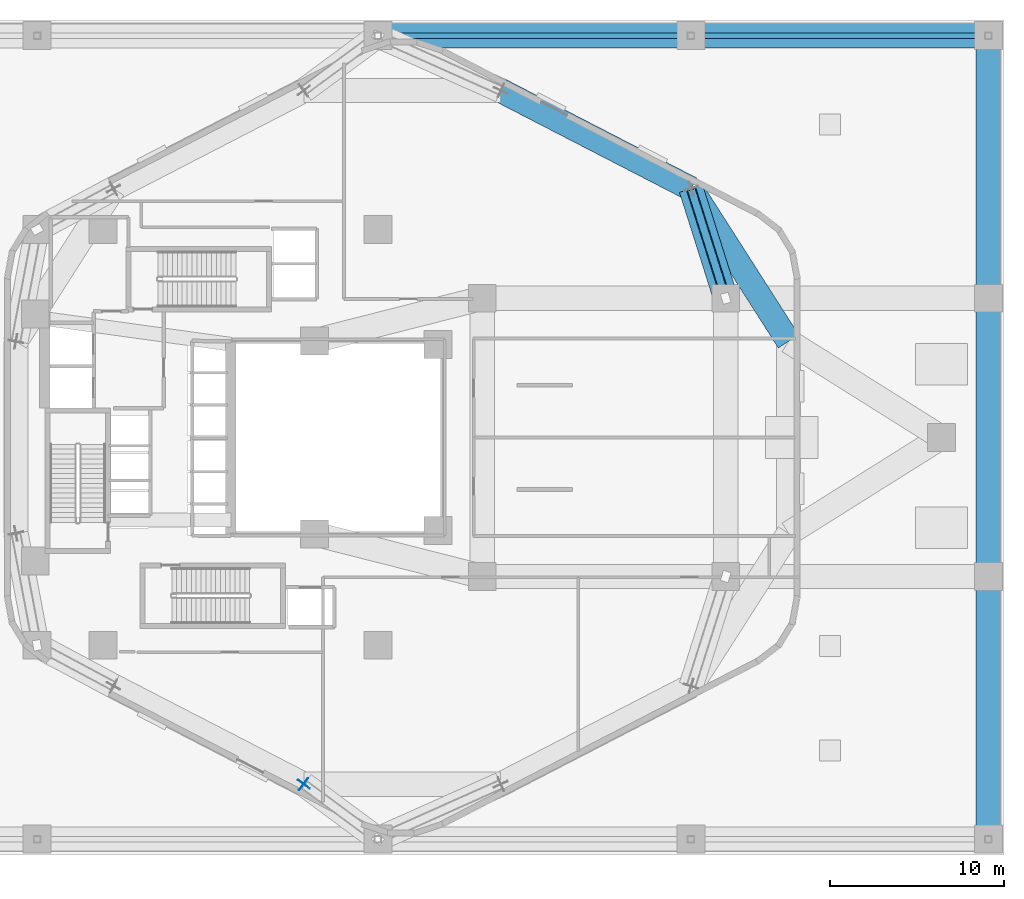
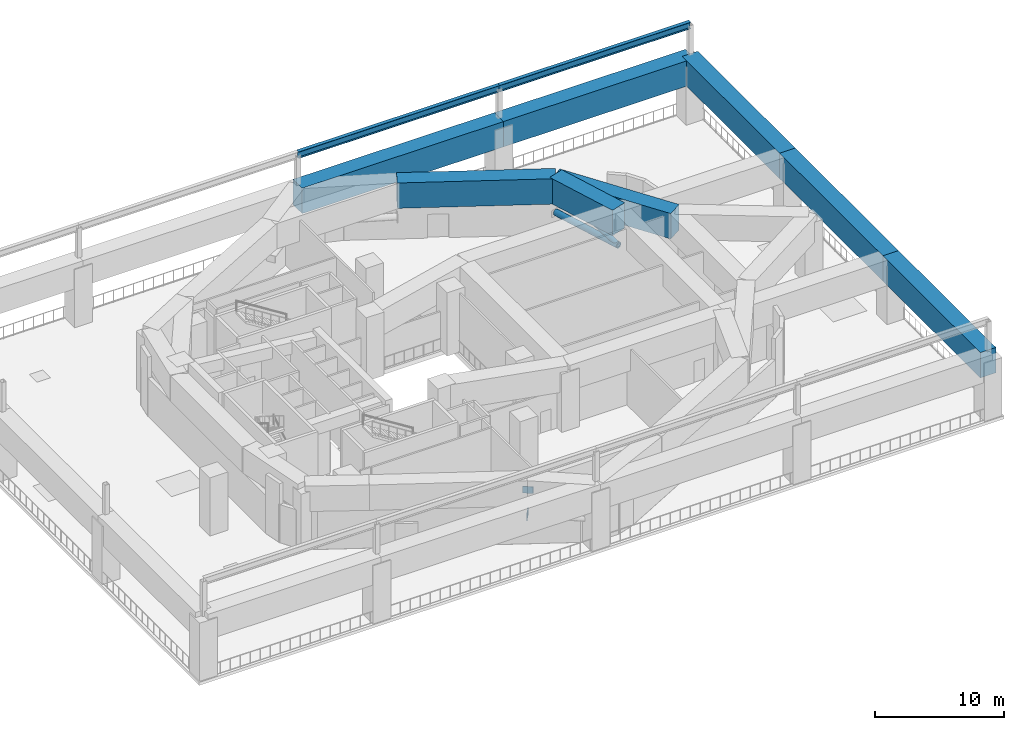
# One storey, part 6 of 15: 10 beams, 2 members, 2 plates.
"""IFC4 building model written with IfcOpenShell, lengths in metres."""

from ifc_helpers import new_model, si_unit, direction, frame, origin, origin_2d, place, context, subcontext, project, spatial, rectangle, hollow_circle, i_section, extrude, material, layer, layer_set, material_profile, profile_set, type_object, element, save


model = new_model("IFC4")

# Units and contexts
model_context = context("Model", 3, precision=1e-05, world=origin(), true_north=direction((0.0, 1.0)))
body_context = subcontext(model_context, "Body", "Model", "MODEL_VIEW")
ifc_project = project(units=[si_unit("LENGTHUNIT", "METRE"), si_unit("AREAUNIT", "SQUARE_METRE"), si_unit("VOLUMEUNIT", "CUBIC_METRE"), si_unit("PLANEANGLEUNIT", "RADIAN"), si_unit("MASSUNIT", "GRAM", prefix="KILO"), si_unit("THERMODYNAMICTEMPERATUREUNIT", "KELVIN"), si_unit("POWERUNIT", "WATT")], contexts=[model_context])

# Site, building, storey
site_placement = place(None, origin())
site = spatial("IfcSite", under=ifc_project, at=site_placement, CompositionType="ELEMENT")
building_placement = place(site_placement, origin())
building = spatial("IfcBuilding", under=site, at=building_placement, Name="Skarre Station Tower", CompositionType="ELEMENT")
storey_placement = place(building_placement, frame((0.0, 0.0, 21.0)))
storey = spatial("IfcBuildingStorey", under=building, at=storey_placement, Name="L05", CompositionType="ELEMENT", Elevation=21.0)

# Beams
ifc_material_1 = material(Name="Concrete C70/85", Category="concrete")
ifc_material_profile_1 = material_profile(ifc_material_1, rectangle(XDim=1.39990234375, YDim=2.39990234375, at=origin_2d()), Name="Concrete C70/85")
ifc_profile_set_1 = profile_set([ifc_material_profile_1], Name="Concrete C70/85")
beam_type_1 = type_object("IfcBeamType", Name="RC Concourse Transfer Girder 1400x2400", PredefinedType="USERDEFINED", material=ifc_profile_set_1)
beam_1_placement = place(storey_placement, frame((36.0, 47.10009765625, 4.800048828125), z_axis=(1.0, 0.0, 0.0), x_axis=(0.0, 1.0, 0.0)))
element("IfcBeam", 1, at=beam_1_placement, inside=storey, type_object=beam_type_1, Name="L05 Concourse Transfer Girder TG-M07", ObjectType="TRANSFER_GIRDER", PredefinedType="USERDEFINED", context=body_context, shape_type="SweptSolid", body=[
    extrude(rectangle(XDim=1.39990234375, YDim=2.39990234375, at=origin_2d()), origin(), (0.0, 0.0, 1.0), 18.0),
])
beam_2_placement = place(storey_placement, frame((54.0, 47.10009765625, 4.800048828125), z_axis=(1.0, 0.0, 0.0), x_axis=(0.0, 1.0, 0.0)))
element("IfcBeam", 2, at=beam_2_placement, inside=storey, type_object=beam_type_1, Name="L05 Concourse Transfer Girder TG-M08", ObjectType="TRANSFER_GIRDER", PredefinedType="USERDEFINED", context=body_context, shape_type="SweptSolid", body=[
    extrude(rectangle(XDim=1.39990234375, YDim=2.39990234375, at=origin_2d()), origin(), (0.0, 0.0, 1.0), 17.10009765625),
])
beam_3_placement = place(storey_placement, frame((71.10009765625, 0.89990234375, 4.800048828125), z_axis=(0.0, 1.0, 0.0), x_axis=(-1.0, 0.0, 0.0)))
element("IfcBeam", 3, at=beam_3_placement, inside=storey, type_object=beam_type_1, Name="L05 Concourse Transfer Girder TG-M12", ObjectType="TRANSFER_GIRDER", PredefinedType="USERDEFINED", context=body_context, shape_type="SweptSolid", body=[
    extrude(rectangle(XDim=1.39990234375, YDim=2.39990234375, at=origin_2d()), origin(), (0.0, 0.0, 1.0), 15.10009765625),
])
beam_4_placement = place(storey_placement, frame((71.10009765625, 16.0, 4.800048828125), z_axis=(0.0, 1.0, 0.0), x_axis=(-1.0, 0.0, 0.0)))
element("IfcBeam", 4, at=beam_4_placement, inside=storey, type_object=beam_type_1, Name="L05 Concourse Transfer Girder TG-M13", ObjectType="TRANSFER_GIRDER", PredefinedType="USERDEFINED", context=body_context, shape_type="SweptSolid", body=[
    extrude(rectangle(XDim=1.39990234375, YDim=2.39990234375, at=origin_2d()), origin(), (0.0, 0.0, 1.0), 16.0),
])
beam_5_placement = place(storey_placement, frame((71.10009765625, 32.0, 4.800048828125), z_axis=(0.0, 1.0, 0.0), x_axis=(-1.0, 0.0, 0.0)))
element("IfcBeam", 5, at=beam_5_placement, inside=storey, type_object=beam_type_1, Name="L05 Concourse Transfer Girder TG-M14", ObjectType="TRANSFER_GIRDER", PredefinedType="USERDEFINED", context=body_context, shape_type="SweptSolid", body=[
    extrude(rectangle(XDim=1.39990234375, YDim=2.39990234375, at=origin_2d()), origin(), (0.0, 0.0, 1.0), 15.10009765625),
])
beam_6_placement = place(storey_placement, frame((54.007080078125, 38.298095703125, 4.800048828125), z_axis=(-0.888658695823, 0.458569212158, 0.0), x_axis=(-0.458569212158, -0.888658695823, 0.0)))
element("IfcBeam", 6, at=beam_6_placement, inside=storey, type_object=beam_type_1, Name="L05 Hexagonal Ring Transfer Girder 1", ObjectType="TRANSFER_GIRDER", PredefinedType="USERDEFINED", context=body_context, shape_type="SweptSolid", body=[
    extrude(rectangle(XDim=1.39990234375, YDim=2.39990234375, at=origin_2d()), origin(), (0.0, 0.0, 1.0), 12.318603515625),
])
beam_7_placement = place(storey_placement, frame((59.613037109375, 29.52099609375, 4.800048828125), z_axis=(-0.538277829225, 0.842767452246, 0.0), x_axis=(-0.842767452246, -0.538277829225, 0.0)))
element("IfcBeam", 7, at=beam_7_placement, inside=storey, type_object=beam_type_1, Name="L05 Hexagonal Ring Transfer Girder 12", ObjectType="TRANSFER_GIRDER", PredefinedType="USERDEFINED", context=body_context, shape_type="SweptSolid", body=[
    extrude(rectangle(XDim=1.39990234375, YDim=2.39990234375, at=origin_2d()), origin(), (0.0, 0.0, 1.0), 10.41455078125),
])
beam_8_placement = place(storey_placement, frame((56.0, 32.0, 4.800048828125), z_axis=(-0.301688479934, 0.953406556027, 0.0), x_axis=(-0.953406556027, -0.301688479934, 0.0)))
element("IfcBeam", 8, at=beam_8_placement, inside=storey, type_object=beam_type_1, Name="L05 Radial Transfer Girder F0C1", ObjectType="TRANSFER_GIRDER", PredefinedType="USERDEFINED", context=body_context, shape_type="SweptSolid", body=[
    extrude(rectangle(XDim=1.39990234375, YDim=2.39990234375, at=origin_2d()), origin(), (0.0, 0.0, 1.0), 6.60595703125),
])
ifc_material_2 = material(Name="Steel ASTM A992 Grade 50", Category="steel")
ifc_material_profile_2 = material_profile(ifc_material_2, i_section(OverallWidth=0.327880859375, OverallDepth=0.6279296875, WebThickness=0.01708984375, FlangeThickness=0.028076171875, at=origin_2d()), Name="Steel ASTM A992 Grade 50")
ifc_profile_set_2 = profile_set([ifc_material_profile_2], Name="Steel ASTM A992 Grade 50")
beam_type_2 = type_object("IfcBeamType", Name="Steel Spandrel W24X146", PredefinedType="SPANDREL", material=ifc_profile_set_2)
beam_9_placement = place(storey_placement, frame((36.0, 47.10009765625, 8.785888671875), z_axis=(1.0, 0.0, 0.0), x_axis=(0.0, 1.0, 0.0)))
element("IfcBeam", 9, at=beam_9_placement, inside=storey, type_object=beam_type_2, Name="L05 Pergola Tie Beam 7", PredefinedType="SPANDREL", context=body_context, shape_type="SweptSolid", body=[
    extrude(i_section(OverallWidth=0.327880859375, OverallDepth=0.6279296875, WebThickness=0.01708984375, FlangeThickness=0.028076171875, at=origin_2d()), origin(), (0.0, 0.0, 1.0), 18.0),
])
beam_10_placement = place(storey_placement, frame((54.0, 47.10009765625, 8.785888671875), z_axis=(1.0, 0.0, 0.0), x_axis=(0.0, 1.0, 0.0)))
element("IfcBeam", 10, at=beam_10_placement, inside=storey, type_object=beam_type_2, Name="L05 Pergola Tie Beam 8", PredefinedType="SPANDREL", context=body_context, shape_type="SweptSolid", body=[
    extrude(i_section(OverallWidth=0.327880859375, OverallDepth=0.6279296875, WebThickness=0.01708984375, FlangeThickness=0.028076171875, at=origin_2d()), origin(), (0.0, 0.0, 1.0), 17.10009765625),
])

# Members
ifc_material_3 = material(Name="Steel ASTM A500 Grade C", Category="steel")
ifc_material_profile_3 = material_profile(ifc_material_3, hollow_circle(Radius=0.228515625, WallThickness=0.02001953125, at=origin_2d()), Name="Steel ASTM A500 Grade C")
ifc_profile_set_3 = profile_set([ifc_material_profile_3], Name="Steel ASTM A500 Grade C")
member_type_1 = type_object("IfcMemberType", Name="Steel Truss Brace CHS457X20", PredefinedType="BRACE", material=ifc_profile_set_3)
member_1_placement = place(storey_placement, frame((56.0, 32.0, 2.35009765625), z_axis=(-0.282861579352, 0.893909121959, 0.347729504937), x_axis=(-0.953406556027, -0.301688479934, 0.0)))
element("IfcMember", 11, at=member_1_placement, inside=storey, type_object=member_type_1, Name="L05 Concourse Transfer Truss Diagonal F0C1", PredefinedType="BRACE", context=body_context, shape_type="SweptSolid", body=[
    extrude(hollow_circle(Radius=0.228515625, WallThickness=0.02001953125, at=origin_2d()), origin(), (0.0, 0.0, 1.0), 7.045654296875),
])
ifc_material_4 = material(Name="Steel ASTM A501 Grade B", Category="steel")
ifc_material_profile_4 = material_profile(ifc_material_4, hollow_circle(Radius=0.279541015625, WallThickness=0.02490234375, at=origin_2d()), Name="Steel ASTM A501 Grade B")
ifc_profile_set_4 = profile_set([ifc_material_profile_4], Name="Steel ASTM A501 Grade B")
member_type_2 = type_object("IfcMemberType", Name="Steel Truss Chord CHS559X25", PredefinedType="CHORD", material=ifc_profile_set_4)
member_2_placement = place(storey_placement, frame((56.0, 32.0, 2.35009765625), z_axis=(-0.301688479934, 0.953406556027, 0.0), x_axis=(-0.953406556027, -0.301688479934, 0.0)))
element("IfcMember", 12, at=member_2_placement, inside=storey, type_object=member_type_2, Name="L05 Concourse Transfer Truss Bottom Chord F0C1", PredefinedType="CHORD", context=body_context, shape_type="SweptSolid", body=[
    extrude(hollow_circle(Radius=0.279541015625, WallThickness=0.02490234375, at=origin_2d()), origin(), (0.0, 0.0, 1.0), 6.60595703125),
])

# Plates
ifc_material_5 = material(Name="Steel ASTM A572 Grade 50", Category="steel")
ifc_layer = layer(ifc_material_5, 0.0400390625, Name="Steel ASTM A572 Grade 50")
ifc_layer_set = layer_set([ifc_layer], Name="Steel ASTM A572 Grade 50")
plate_type = type_object("IfcPlateType", Name="Outrigger Heavy Gusset Plate 850x640x40", PredefinedType="USERDEFINED", material=ifc_layer_set)
plate_1_placement = place(storey_placement, frame((31.739990234375, 4.052978515625, 4.330078125), z_axis=(0.0, 0.0, 1.0), x_axis=(-0.803784183305, 0.594920991954, 0.0)))
element("IfcPlate", 13, at=plate_1_placement, inside=storey, type_object=plate_type, Name="L05 Transfer Truss Top Gusset Plate F3C2", ObjectType="GUSSET_PLATE", PredefinedType="USERDEFINED", context=body_context, shape_type="SweptSolid", body=[
    extrude(rectangle(XDim=0.85009765625, YDim=0.0400390625, at=origin_2d()), origin(), (0.0, 0.0, 1.0), 0.639892578125),
])
plate_2_placement = place(storey_placement, frame((31.72802734375, 4.06201171875, 2.0302734375), z_axis=(0.0, 0.0, 1.0), x_axis=(-0.803784183305, 0.594920991954, 0.0)))
element("IfcPlate", 14, at=plate_2_placement, inside=storey, type_object=plate_type, Name="L05 Transfer Truss Chord End Cap Plate F3C2", ObjectType="GUSSET_PLATE", PredefinedType="USERDEFINED", context=body_context, shape_type="SweptSolid", body=[
    extrude(rectangle(XDim=0.0400390625, YDim=0.85009765625, at=origin_2d()), origin(), (0.0, 0.0, 1.0), 0.639892578125),
])

save(model, "model.ifc")
